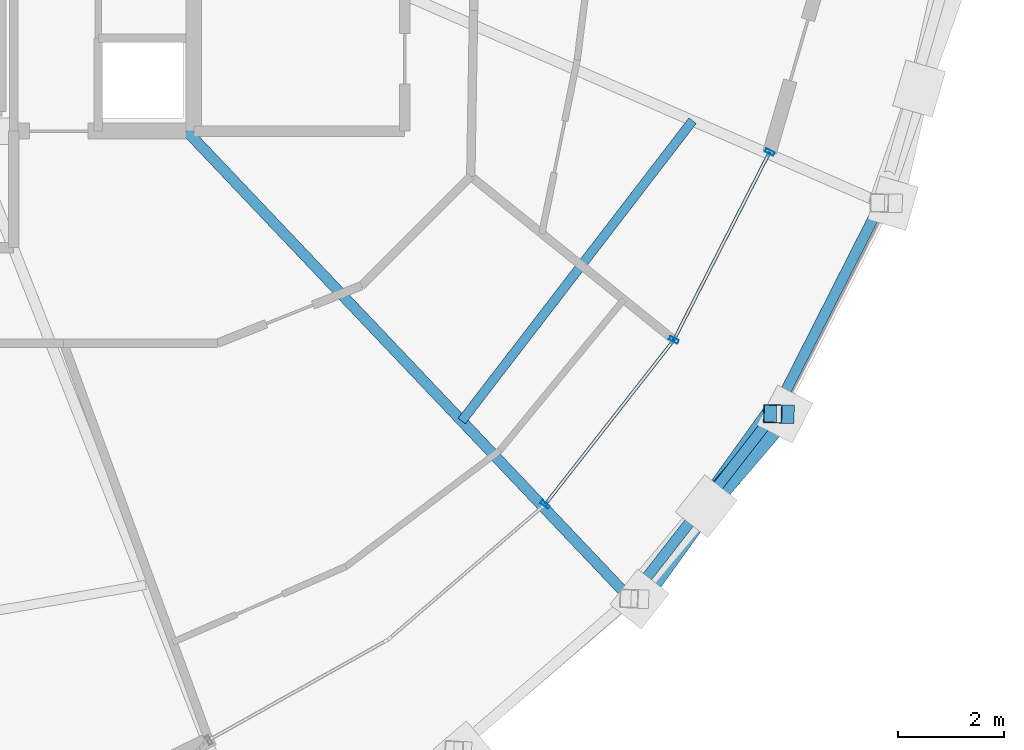
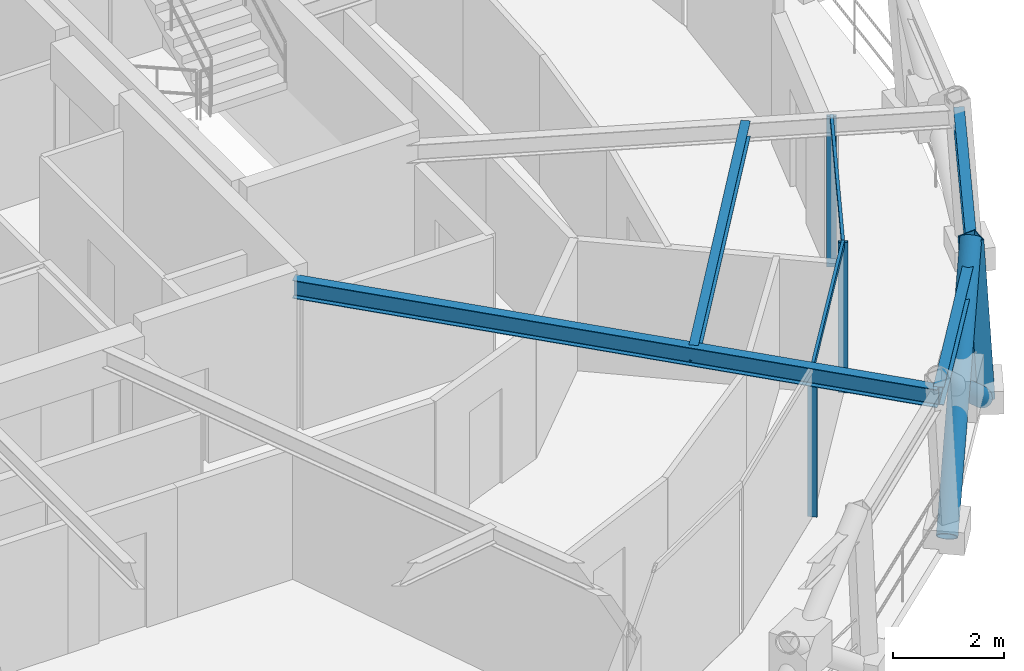
# One storey, part 4 of 15: 8 members, 4 beams, 1 element without a shape of its own.
"""IFC4 building model written with IfcOpenShell, lengths in metres."""

from ifc_helpers import new_model, si_unit, direction, frame, origin, origin_2d, place, context, subcontext, project, spatial, hollow_rectangle, hollow_circle, i_section, extrude, material, layer, layer_set, material_profile, profile_set, type_object, element, aggregate, save


model = new_model("IFC4")

# Units and contexts
model_context = context("Model", 3, precision=1e-05, world=origin(), true_north=direction((0.0, 1.0)))
body_context = subcontext(model_context, "Body", "Model", "MODEL_VIEW")
ifc_project = project(units=[si_unit("LENGTHUNIT", "METRE"), si_unit("AREAUNIT", "SQUARE_METRE"), si_unit("VOLUMEUNIT", "CUBIC_METRE"), si_unit("PLANEANGLEUNIT", "RADIAN"), si_unit("MASSUNIT", "GRAM", prefix="KILO")], contexts=[model_context])

# Site, building, storey
site_placement = place(None, origin())
site = spatial("IfcSite", under=ifc_project, at=site_placement, CompositionType="ELEMENT")
building_placement = place(site_placement, origin())
building = spatial("IfcBuilding", under=site, at=building_placement, Name="Veldorina Hangang Commons", CompositionType="ELEMENT")
storey_placement = place(building_placement, frame((0.0, 0.0, 261.60009765625)))
storey = spatial("IfcBuildingStorey", under=building, at=storey_placement, Name="L68", CompositionType="ELEMENT", Elevation=261.60009765625)

# Beams
ifc_material_1 = material(Name="Steel SM355-TMC", Category="steel")
ifc_material_profile_1 = material_profile(ifc_material_1, i_section(OverallWidth=0.199951171875, OverallDepth=0.39990234375, WebThickness=0.008056640625, FlangeThickness=0.012939453125, FilletRadius=0.012939453125, at=origin_2d()), Name="H-400x200x8x13")
ifc_profile_set_1 = profile_set([ifc_material_profile_1], Name="Steel SM355-TMC")
beam_type_1 = type_object("IfcBeamType", Name="BM-FG400", PredefinedType="BEAM", material=ifc_profile_set_1)
beam_1_placement = place(storey_placement, frame((39.068115234375, 16.550048828125, 3.159912109375), z_axis=(0.688248509475, -0.72547500936, 0.0), x_axis=(0.72547500936, 0.688248509475, 0.0)))
element("IfcBeam", 1, at=beam_1_placement, inside=storey, type_object=beam_type_1, Name="L68 radial floor girder 15", PredefinedType="BEAM", context=body_context, shape_type="SweptSolid", body=[
    extrude(i_section(OverallWidth=0.199951171875, OverallDepth=0.39990234375, WebThickness=0.008056640625, FlangeThickness=0.012939453125, FilletRadius=0.012939453125, at=origin_2d()), origin(), (0.0, 0.0, 1.0), 12.158935546875),
])
ifc_material_profile_2 = material_profile(ifc_material_1, i_section(OverallWidth=0.175048828125, OverallDepth=0.35009765625, WebThickness=0.007080078125, FlangeThickness=0.010986328125, FilletRadius=0.012939453125, at=origin_2d()), Name="H-350x175x7x11")
ifc_profile_set_2 = profile_set([ifc_material_profile_2], Name="Steel SM355-TMC")
beam_type_2 = type_object("IfcBeamType", Name="BM-JST350", PredefinedType="JOIST", material=ifc_profile_set_2)
beam_2_placement = place(storey_placement, frame((44.256591796875, 11.0810546875, 3.184814453125), z_axis=(0.609506026664, 0.792781434861, 0.0), x_axis=(-0.792781434861, 0.609506026664, 0.0)))
element("IfcBeam", 2, at=beam_2_placement, inside=storey, type_object=beam_type_2, Name="L68 secondary floor joist 15", PredefinedType="JOIST", context=body_context, shape_type="SweptSolid", body=[
    extrude(i_section(OverallWidth=0.175048828125, OverallDepth=0.35009765625, WebThickness=0.007080078125, FlangeThickness=0.010986328125, FilletRadius=0.012939453125, at=origin_2d()), origin(), (0.0, 0.0, 1.0), 7.146728515625),
])
ifc_material_profile_3 = material_profile(ifc_material_1, i_section(OverallWidth=0.199951171875, OverallDepth=0.39990234375, WebThickness=0.008056640625, FlangeThickness=0.012939453125, FilletRadius=0.012939453125, at=origin_2d()), Name="H-400x200x8x13")
ifc_profile_set_3 = profile_set([ifc_material_profile_3], Name="Steel SM355-TMC")
beam_type_3 = type_object("IfcBeamType", Name="BM-RB400", PredefinedType="BEAM", material=ifc_profile_set_3)
beam_3_placement = place(storey_placement, frame((47.4365234375, 7.72900390625, 3.159912109375), z_axis=(0.614319180396, 0.78905763072, 0.0), x_axis=(-0.78905763072, 0.614319180396, 0.0)))
element("IfcBeam", 3, at=beam_3_placement, inside=storey, type_object=beam_type_3, Name="L68 perimeter hoop ring beam 28", PredefinedType="BEAM", context=body_context, shape_type="SweptSolid", body=[
    extrude(i_section(OverallWidth=0.199951171875, OverallDepth=0.39990234375, WebThickness=0.008056640625, FlangeThickness=0.012939453125, FilletRadius=0.012939453125, at=origin_2d()), origin(), (0.0, 0.0, 1.0), 4.419189453125),
])
beam_4_placement = place(storey_placement, frame((50.1513671875, 11.216064453125, 3.159912109375), z_axis=(0.452285910788, 0.891873003797, 0.0), x_axis=(-0.891873003797, 0.452285910788, 0.0)))
element("IfcBeam", 4, at=beam_4_placement, inside=storey, type_object=beam_type_3, Name="L68 perimeter hoop ring beam 29", PredefinedType="BEAM", context=body_context, shape_type="SweptSolid", body=[
    extrude(i_section(OverallWidth=0.199951171875, OverallDepth=0.39990234375, WebThickness=0.008056640625, FlangeThickness=0.012939453125, FilletRadius=0.012939453125, at=origin_2d()), origin(), (0.0, 0.0, 1.0), 4.460205078125),
])

# Curtain wall, members
ifc_material_2 = material(Name="Glass Low-E Selective", Category="glass")
ifc_layer = layer(ifc_material_2, 0.179931640625)
ifc_layer_set = layer_set([ifc_layer], Name="Glass Low-E Selective")
curtain_wall_type = type_object("IfcCurtainWallType", Name="CW-SYS-Z3", PredefinedType="NOTDEFINED", material=ifc_layer_set)
curtain_wall_placement = place(storey_placement, origin())
curtain_wall = element("IfcCurtainWall", 5, at=curtain_wall_placement, inside=storey, type_object=curtain_wall_type, Name="L68 unitised curtain wall CW-L68-R1", PredefinedType="NOTDEFINED")
ifc_material_3 = material(Name="Aluminium Anodized AA6063-T6", Category="aluminium")
ifc_material_profile_4 = material_profile(ifc_material_3, hollow_rectangle(XDim=0.070068359375, YDim=0.179931640625, WallThickness=0.00390625, at=origin_2d()), Name="ALU-RHS-180x70x4")
ifc_profile_set_4 = profile_set([ifc_material_profile_4], Name="Aluminium Anodized AA6063-T6")
member_type_1 = type_object("IfcMemberType", Name="CW-MUL-180", PredefinedType="MULLION", material=ifc_profile_set_4)
member_1_placement = place(storey_placement, frame((45.827392578125, 9.50341796875, 0.0), z_axis=(0.0, 0.0, 1.0), x_axis=(0.616431370541, 0.787408639407, 0.0)))
member_1 = element("IfcMember", 6, at=member_1_placement, type_object=member_type_1, Name="CW-L68-R1 vertical mullion 2", PredefinedType="MULLION", context=body_context, shape_type="SweptSolid", body=[
    extrude(hollow_rectangle(XDim=0.070068359375, YDim=0.179931640625, WallThickness=0.00390625, at=origin_2d()), origin(), (0.0, 0.0, 1.0), 3.31982421875),
])
member_2_placement = place(storey_placement, frame((48.259521484375, 12.610107421875, 0.0), z_axis=(0.0, 0.0, 1.0), x_axis=(0.454223749141, 0.890887639221, 0.0)))
member_2 = element("IfcMember", 7, at=member_2_placement, type_object=member_type_1, Name="CW-L68-R1 vertical mullion 3", PredefinedType="MULLION", context=body_context, shape_type="SweptSolid", body=[
    extrude(hollow_rectangle(XDim=0.070068359375, YDim=0.179931640625, WallThickness=0.00390625, at=origin_2d()), origin(), (0.0, 0.0, 1.0), 3.31982421875),
])
member_3_placement = place(storey_placement, frame((50.066650390625, 16.154541015625, 0.0), z_axis=(0.0, 0.0, 1.0), x_axis=(-0.454223749141, -0.890887639221, 0.0)))
member_3 = element("IfcMember", 8, at=member_3_placement, type_object=member_type_1, Name="CW-L68-R1 vertical mullion 4", PredefinedType="MULLION", context=body_context, shape_type="SweptSolid", body=[
    extrude(hollow_rectangle(XDim=0.070068359375, YDim=0.179931640625, WallThickness=0.00390625, at=origin_2d()), origin(), (0.0, 0.0, 1.0), 3.31982421875),
])
ifc_material_profile_5 = material_profile(ifc_material_3, hollow_rectangle(XDim=0.06005859375, YDim=0.139892578125, WallThickness=0.00341796875, at=origin_2d()), Name="ALU-RHS-140x60x3.5")
ifc_profile_set_5 = profile_set([ifc_material_profile_5], Name="Aluminium Anodized AA6063-T6")
member_type_2 = type_object("IfcMemberType", Name="CW-TRN-140", PredefinedType="USERDEFINED", material=ifc_profile_set_5)
member_4_placement = place(storey_placement, frame((45.827392578125, 9.50341796875, 3.27978515625), z_axis=(0.616435057737, 0.787405752832, 0.0), x_axis=(-0.787405752832, 0.616435057737, 0.0)))
member_4 = element("IfcMember", 9, at=member_4_placement, type_object=member_type_2, Name="CW-L68-R1 facet 3 transom 1", ObjectType="TRANSOM", PredefinedType="USERDEFINED", context=body_context, shape_type="SweptSolid", body=[
    extrude(hollow_rectangle(XDim=0.06005859375, YDim=0.139892578125, WallThickness=0.00341796875, at=origin_2d()), origin(), (0.0, 0.0, 1.0), 3.945556640625),
])
member_5_placement = place(storey_placement, frame((48.259521484375, 12.610107421875, 3.27978515625), z_axis=(0.454219917696, 0.890889592693, 0.0), x_axis=(-0.890889592693, 0.454219917696, 0.0)))
member_5 = element("IfcMember", 10, at=member_5_placement, type_object=member_type_2, Name="CW-L68-R1 facet 4 transom 1", ObjectType="TRANSOM", PredefinedType="USERDEFINED", context=body_context, shape_type="SweptSolid", body=[
    extrude(hollow_rectangle(XDim=0.06005859375, YDim=0.139892578125, WallThickness=0.00341796875, at=origin_2d()), origin(), (0.0, 0.0, 1.0), 3.978515625),
])
aggregate(curtain_wall, [member_1, member_2, member_3, member_4, member_5])

# Members
ifc_material_profile_6 = material_profile(ifc_material_1, hollow_circle(Radius=0.199951171875, WallThickness=0.02001953125, at=origin_2d()), Name="CHS-400x20")
ifc_profile_set_6 = profile_set([ifc_material_profile_6], Name="Steel SM355-TMC")
member_type_3 = type_object("IfcMemberType", Name="DG-CHS400", PredefinedType="BRACE", material=ifc_profile_set_6)
member_6_placement = place(storey_placement, frame((47.609619140625, 7.7216796875, 0.0), z_axis=(0.447883985067, 0.622817593999, 0.641481239418), x_axis=(-0.811870885639, 0.583837019255, 0.0)))
element("IfcMember", 11, at=member_6_placement, inside=storey, type_object=member_type_3, Name="L68 continuous perimeter diagrid brace 28", PredefinedType="BRACE", context=body_context, shape_type="SweptSolid", body=[
    extrude(hollow_circle(Radius=0.199951171875, WallThickness=0.02001953125, at=origin_2d()), origin(), (0.0, 0.0, 1.0), 5.61181640625),
])
member_7_placement = place(storey_placement, frame((50.354736328125, 11.210205078125, 0.0), z_axis=(-0.510132933998, -0.596412813861, 0.619722635631), x_axis=(0.7599349216, -0.649999165333, 0.0)))
element("IfcMember", 12, at=member_7_placement, inside=storey, type_object=member_type_3, Name="L68 split perimeter diagrid lower brace 29", PredefinedType="BRACE", context=body_context, shape_type="SweptSolid", body=[
    extrude(hollow_circle(Radius=0.199951171875, WallThickness=0.02001953125, at=origin_2d()), origin(), (0.0, 0.0, 1.0), 2.91162109375),
])
ifc_material_profile_7 = material_profile(ifc_material_1, hollow_rectangle(XDim=0.35009765625, YDim=0.35009765625, WallThickness=0.01611328125, at=origin_2d()), Name="SHS-350x350x16")
ifc_profile_set_7 = profile_set([ifc_material_profile_7], Name="Steel SM355-TMC")
member_type_4 = type_object("IfcMemberType", Name="STR-SHS350", PredefinedType="STRUT", material=ifc_profile_set_7)
member_8_placement = place(storey_placement, frame((50.354736328125, 11.210205078125, 0.0), z_axis=(-0.064227804467, 0.001827345333, 0.997933589946), x_axis=(-0.028439493074, -0.999595515813, 0.0)))
element("IfcMember", 13, at=member_8_placement, inside=storey, type_object=member_type_4, Name="L68 perimeter ring node post 29", PredefinedType="STRUT", context=body_context, shape_type="SweptSolid", body=[
    extrude(hollow_rectangle(XDim=0.35009765625, YDim=0.35009765625, WallThickness=0.01611328125, at=origin_2d()), origin(), (0.0, 0.0, 1.0), 3.607421875),
])

save(model, "model.ifc")
